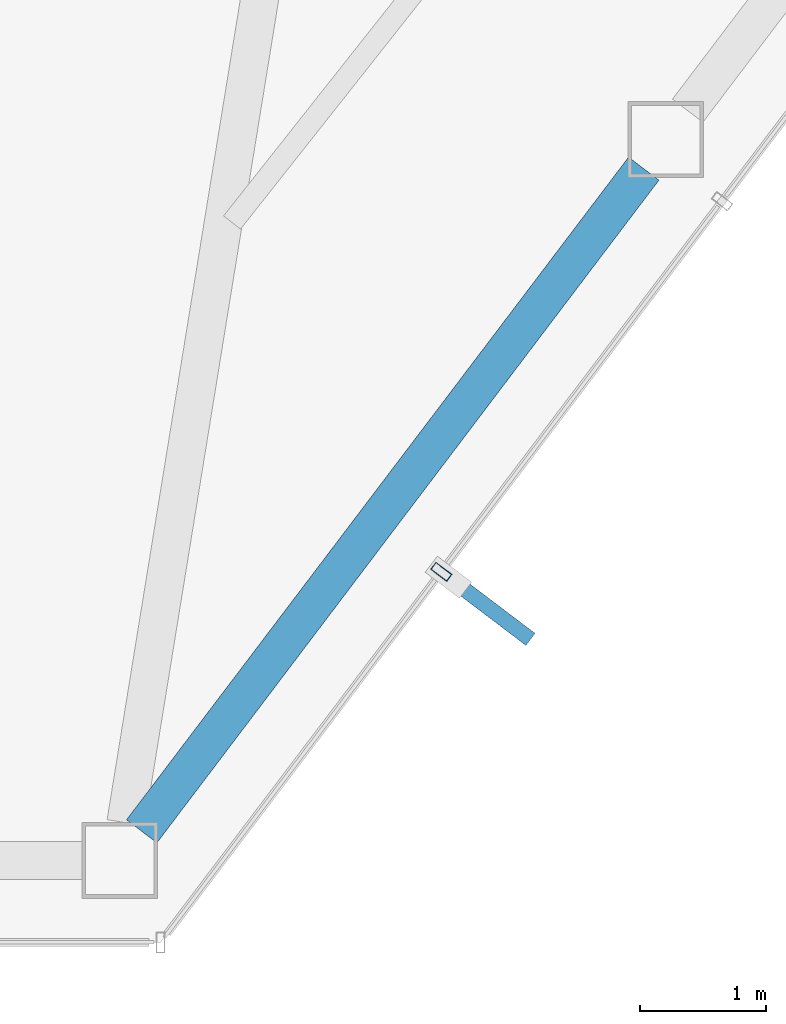
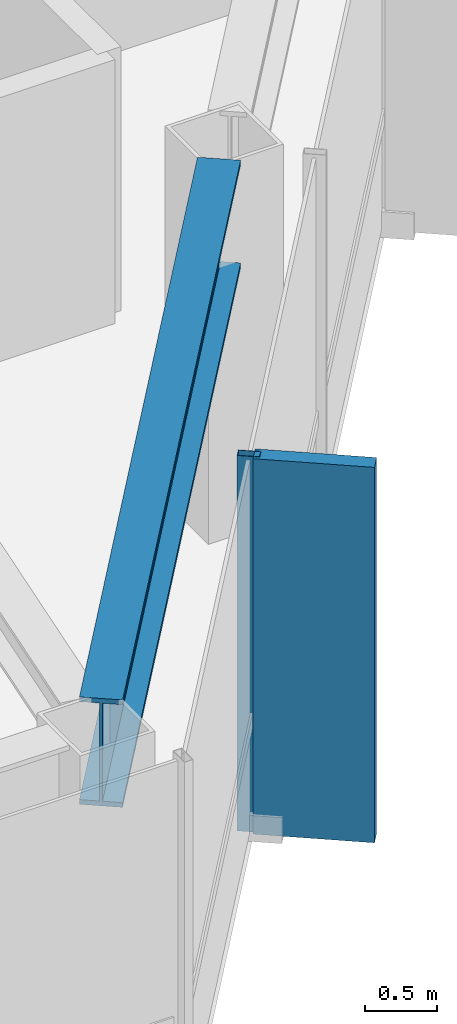
# One storey, part 6 of 25: 2 members, 1 beam, 1 element without a shape of its own.
"""IFC4 building model written with IfcOpenShell, lengths in metres."""

from ifc_helpers import new_model, si_unit, direction, frame, origin, origin_2d, place, context, subcontext, project, spatial, rectangle, hollow_rectangle, i_section, extrude, material, layer, layer_set, material_profile, profile_set, type_object, element, aggregate, save


model = new_model("IFC4")

# Units and contexts
model_context = context("Model", 3, precision=1e-05, world=origin(), true_north=direction((0.0, 1.0)))
body_context = subcontext(model_context, "Body", "Model", "MODEL_VIEW")
ifc_project = project(units=[si_unit("LENGTHUNIT", "METRE"), si_unit("AREAUNIT", "SQUARE_METRE"), si_unit("VOLUMEUNIT", "CUBIC_METRE"), si_unit("PLANEANGLEUNIT", "RADIAN"), si_unit("MASSUNIT", "GRAM", prefix="KILO")], contexts=[model_context])

# Site, building, storey
site_placement = place(None, origin())
site = spatial("IfcSite", under=ifc_project, at=site_placement, CompositionType="ELEMENT")
building_placement = place(site_placement, origin())
building = spatial("IfcBuilding", under=site, at=building_placement, Name="Zarrinselat Tower", CompositionType="ELEMENT")
storey_placement = place(building_placement, frame((0.0, 0.0, 242.760009765625)))
storey = spatial("IfcBuildingStorey", under=building, at=storey_placement, Name="L61", CompositionType="ELEMENT", Elevation=242.760009765625)

# Beam
ifc_material_1 = material(Name="Steel S460M", Category="steel")
ifc_material_profile_1 = material_profile(ifc_material_1, i_section(OverallWidth=0.302001953125, OverallDepth=0.909912109375, WebThickness=0.02099609375, FlangeThickness=0.0400390625, at=origin_2d()), Name="HEM 900")
ifc_profile_set_1 = profile_set([ifc_material_profile_1], Name="Steel S460M")
beam_type = type_object("IfcBeamType", Name="BM-HEM900", PredefinedType="BEAM", material=ifc_profile_set_1)
beam_placement = place(storey_placement, frame((43.708984375, 19.4423828125, 2.72509765625), z_axis=(0.603886974142, 0.797069960832, 0.0), x_axis=(-0.797069960832, 0.603886974142, 0.0)))
element("IfcBeam", 1, at=beam_placement, inside=storey, type_object=beam_type, Name="L61 Perimeter Spandrel Girder SP11", PredefinedType="BEAM", context=body_context, shape_type="SweptSolid", body=[
    extrude(i_section(OverallWidth=0.302001953125, OverallDepth=0.909912109375, WebThickness=0.02099609375, FlangeThickness=0.0400390625, at=origin_2d()), origin(), (0.0, 0.0, 1.0), 6.58056640625),
])

# Curtain wall, members
ifc_material_2 = material(Name="Extruded Aluminium Alloy EN AW-6063 T6", Category="aluminium")
ifc_layer = layer(ifc_material_2, 0.169921875)
ifc_layer_set = layer_set([ifc_layer], Name="Extruded Aluminium Alloy EN AW-6063 T6")
curtain_wall_type = type_object("IfcCurtainWallType", Name="CWS-RES", PredefinedType="NOTDEFINED", material=ifc_layer_set)
curtain_wall_placement = place(storey_placement, origin())
curtain_wall = element("IfcCurtainWall", 2, at=curtain_wall_placement, inside=storey, type_object=curtain_wall_type, Name="L61 Unitised Curtain Wall CW-L61-E05", PredefinedType="NOTDEFINED")
ifc_material_3 = material(Name="Extruded Aluminium Alloy EN AW-6063 T6", Category="aluminium")
ifc_material_profile_2 = material_profile(ifc_material_3, hollow_rectangle(XDim=0.070068359375, YDim=0.159912109375, WallThickness=0.00390625, at=origin_2d()), Name="RHS 160x70x4")
ifc_profile_set_2 = profile_set([ifc_material_profile_2], Name="Extruded Aluminium Alloy EN AW-6063 T6")
member_type_1 = type_object("IfcMemberType", Name="MEM-CW-MUL2", PredefinedType="MULLION", material=ifc_profile_set_2)
member_1_placement = place(storey_placement, frame((46.08056640625, 21.49609375, 0.0), z_axis=(0.0, 0.0, 1.0), x_axis=(0.603858472709, 0.797091553674, 0.0)))
member_1 = element("IfcMember", 3, at=member_1_placement, type_object=member_type_1, Name="CW-L61-E05 Mullion 1", PredefinedType="MULLION", context=body_context, shape_type="SweptSolid", body=[
    extrude(hollow_rectangle(XDim=0.070068359375, YDim=0.159912109375, WallThickness=0.00390625, at=origin_2d()), origin(), (0.0, 0.0, 1.0), 3.179931640625),
])
ifc_material_4 = material(Name="Honed Cream Travertine Stone", Category="masonry")
ifc_material_profile_3 = material_profile(ifc_material_4, rectangle(XDim=0.1201171875, YDim=0.85009765625, at=origin_2d()), Name="FIN 850x120")
ifc_profile_set_3 = profile_set([ifc_material_profile_3], Name="Honed Cream Travertine Stone")
member_type_2 = type_object("IfcMemberType", Name="MEM-STONE-FIN", PredefinedType="USERDEFINED", material=ifc_profile_set_3)
member_2_placement = place(storey_placement, frame((46.447265625, 21.218505859375, 0.0), z_axis=(0.0, 0.0, 1.0), x_axis=(-0.603858472709, -0.797091553674, 0.0)))
member_2 = element("IfcMember", 4, at=member_2_placement, type_object=member_type_2, Name="L61 Stone Shading Fin CW-L61-E05-01", ObjectType="FIN", PredefinedType="USERDEFINED", context=body_context, shape_type="SweptSolid", body=[
    extrude(rectangle(XDim=0.1201171875, YDim=0.85009765625, at=origin_2d()), origin(), (0.0, 0.0, 1.0), 3.179931640625),
])
aggregate(curtain_wall, [member_1, member_2])

save(model, "model.ifc")
